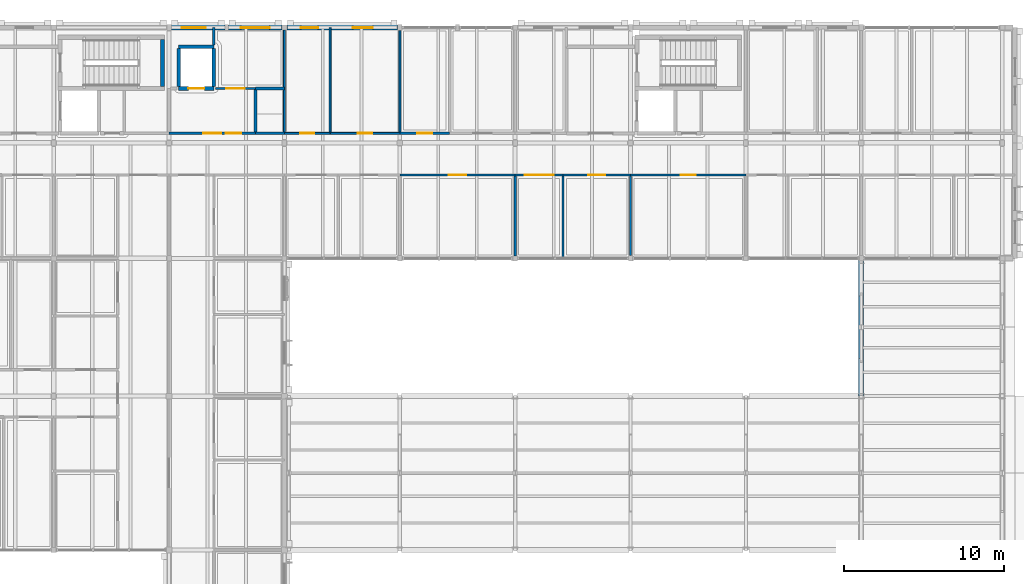
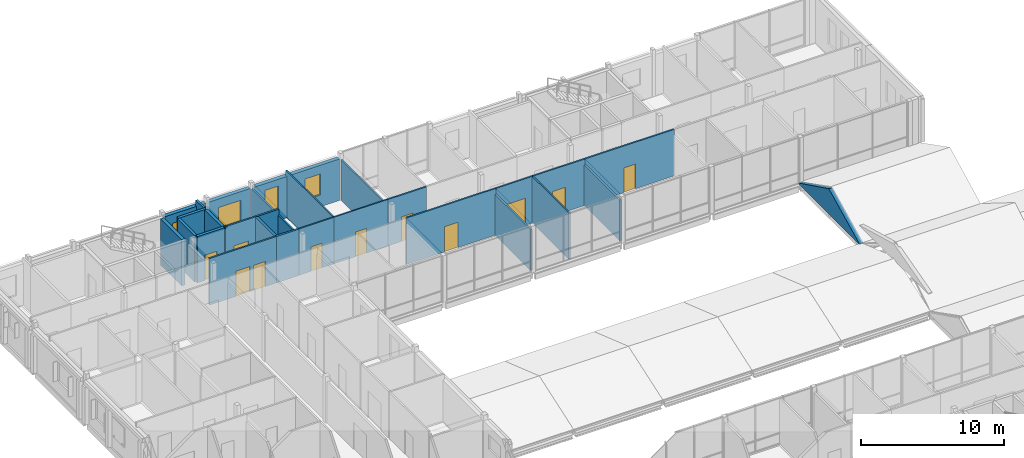
# One storey, part 87 of 115: 29 walls, 11 doors, 4 windows, 15 openings.
"""IFC4 building model written with IfcOpenShell, lengths in metres."""

import ifcopenshell
import ifcopenshell.guid

model = None  # the IFC model being written
_history = None  # IfcOwnerHistory: only IFC2X3 demands one
_inside = {}  # id of a spatial element -> (the spatial element, [elements in it])
_under = {}  # id of a project, library or spatial element -> (it, [spatial elements below it])
_declared = {}  # id of a project -> (the project, [libraries it declares])
_typed = {}  # id of a type object -> (the type object, [elements of that type])
_made_of = {}  # id of a material, layer set ... -> (it, [elements and type objects made of it])


def new_model(schema):
    """Start an empty IFC model of exactly this schema.

    Asked for "IFC4X3", IfcOpenShell would pick the latest addendum, in which some entities
    have other attributes; the version numbers below select the first issue.
    IFC2X3 requires an IfcOwnerHistory on every rooted entity: one is made here for all.
    """
    global model, _history
    if schema == "IFC4X3":
        model = ifcopenshell.file(schema_version=(4, 3, 0, 0))
    else:
        model = ifcopenshell.file(schema=schema)
    _inside.clear()
    _under.clear()
    _declared.clear()
    _typed.clear()
    _made_of.clear()
    _history = None
    if model.schema == "IFC2X3":
        org = make("IfcOrganization", Name="unknown")
        user = make(
            "IfcPersonAndOrganization",
            ThePerson=make("IfcPerson", FamilyName="unknown"),
            TheOrganization=org,
        )
        app = make(
            "IfcApplication",
            ApplicationDeveloper=org,
            Version="unknown",
            ApplicationFullName="unknown",
            ApplicationIdentifier="unknown",
        )
        _history = make(
            "IfcOwnerHistory",
            OwningUser=user,
            OwningApplication=app,
            ChangeAction="ADDED",
            CreationDate=0,
        )
    return model


def make(cls, **values):
    """One entity of the class cls with the attributes given. An attribute that is None is left unset."""
    return model.create_entity(
        cls, **{name: value for name, value in values.items() if value is not None}
    )


def rooted(cls, **values):
    """An entity with a GlobalId (a new one), such as an element, a storey or a relation."""
    return make(cls, GlobalId=ifcopenshell.guid.new(), OwnerHistory=_history, **values)


def si_unit(unit_type, name, prefix=None):
    """IfcSIUnit, for example si_unit("LENGTHUNIT", "METRE", prefix="MILLI")."""
    return make("IfcSIUnit", UnitType=unit_type, Prefix=prefix, Name=name)


def assignment(units):
    """IfcUnitAssignment: the units of a project."""
    return None if units is None else make("IfcUnitAssignment", Units=units)


def point(xyz):
    """IfcCartesianPoint."""
    return None if xyz is None else make("IfcCartesianPoint", Coordinates=xyz)


def direction(xyz):
    """IfcDirection."""
    return None if xyz is None else make("IfcDirection", DirectionRatios=xyz)


def frame(location, z_axis=None, x_axis=None):
    """IfcAxis2Placement3D, a coordinate frame: its origin and axes. An axis left out is left unset."""
    return make(
        "IfcAxis2Placement3D",
        Location=point(location),
        Axis=direction(z_axis),
        RefDirection=direction(x_axis),
    )


def frame_2d(location, x_axis=None):
    """IfcAxis2Placement2D, a coordinate frame in the plane: its origin and x axis."""
    return make(
        "IfcAxis2Placement2D", Location=point(location), RefDirection=direction(x_axis)
    )


def origin():
    """The frame at (0, 0, 0) with its axes left unset."""
    return frame((0.0, 0.0, 0.0))


def place(relative_to, where):
    """IfcLocalPlacement: puts the frame where relative to a parent placement (None: the world)."""
    return make(
        "IfcLocalPlacement", PlacementRelTo=relative_to, RelativePlacement=where
    )


def context(
    kind, dimensions, precision=None, world=None, true_north=None, identifier=None
):
    """IfcGeometricRepresentationContext, for example the 3D "Model" context."""
    return make(
        "IfcGeometricRepresentationContext",
        ContextIdentifier=identifier,
        ContextType=kind,
        CoordinateSpaceDimension=dimensions,
        Precision=precision,
        WorldCoordinateSystem=world,
        TrueNorth=true_north,
    )


def subcontext(parent, identifier, kind, view, scale=None):
    """IfcGeometricRepresentationSubContext, for example "Body" below "Model"."""
    return make(
        "IfcGeometricRepresentationSubContext",
        ContextIdentifier=identifier,
        ContextType=kind,
        ParentContext=parent,
        TargetScale=scale,
        TargetView=view,
    )


def project(units=None, contexts=None):
    """IfcProject with its units and contexts."""
    return rooted(
        "IfcProject",
        Name="project",
        RepresentationContexts=contexts,
        UnitsInContext=assignment(units),
    )


def spatial(cls, under=None, at=None, **own):
    """A site, building, storey or space (cls), placed at a placement, below another one or the project."""
    s = rooted(cls, ObjectPlacement=at, **own)
    if under is not None:
        _under.setdefault(under.id(), (under, []))[1].append(s)
    return s


def polyline(points):
    """IfcPolyline through the points."""
    return make("IfcPolyline", Points=[point(p) for p in points])


def profile(cls, at=None, kind="AREA", **sizes):
    """A parametric profile (cls). Its sizes go by their IFC names, for example OverallWidth=200.0."""
    return make(cls, ProfileType=kind, Position=at, **sizes)


def rectangle(**sizes):
    """IfcRectangleProfileDef."""
    return profile("IfcRectangleProfileDef", **sizes)


def outline(outer, holes=None, kind="AREA"):
    """IfcArbitraryClosedProfileDef: a profile drawn as a closed curve; with holes, ...WithVoids."""
    if holes is None:
        return make("IfcArbitraryClosedProfileDef", ProfileType=kind, OuterCurve=outer)
    return make(
        "IfcArbitraryProfileDefWithVoids",
        ProfileType=kind,
        OuterCurve=outer,
        InnerCurves=holes,
    )


def extrude(swept, where, along, depth):
    """IfcExtrudedAreaSolid: the profile swept, set in the frame where, extruded along a direction by depth."""
    return make(
        "IfcExtrudedAreaSolid",
        SweptArea=swept,
        Position=where,
        ExtrudedDirection=direction(along),
        Depth=depth,
    )


def shape(context_of_items, identifier, shape_type, items):
    """IfcShapeRepresentation: the items that make up one representation, for example the "Body"."""
    return make(
        "IfcShapeRepresentation",
        ContextOfItems=context_of_items,
        RepresentationIdentifier=identifier,
        RepresentationType=shape_type,
        Items=items,
    )


def material(Name=None, Category=None):
    """IfcMaterial."""
    return make("IfcMaterial", Name=Name, Category=Category)


def layer(
    of_material, thickness, ventilated=None, Name=None, Category=None, Priority=None
):
    """IfcMaterialLayer: one layer of a wall or slab, of a material (None: an air gap)."""
    return make(
        "IfcMaterialLayer",
        Material=of_material,
        LayerThickness=thickness,
        IsVentilated=ventilated,
        Name=Name,
        Category=Category,
        Priority=Priority,
    )


def layer_set(layers, Name=None):
    """IfcMaterialLayerSet."""
    return make("IfcMaterialLayerSet", MaterialLayers=layers, LayerSetName=Name)


def made_of(thing, what):
    """Note that an element or type object is made of a material, layer set ...; save() writes the relation."""
    if what is not None:
        _made_of.setdefault(what.id(), (what, []))[1].append(thing)
    return thing


def type_object(cls, material=None, **own):
    """A type object (cls), such as IfcWallType, which elements share."""
    return made_of(rooted(cls, **own), material)


def element(
    cls,
    number,
    at=None,
    inside=None,
    cuts=None,
    type_object=None,
    material=None,
    context=None,
    identifier="Body",
    shape_type=None,
    held_by="IfcProductDefinitionShape",
    body=None,
    shapes=None,
    **own,
):
    """One element of the class cls, such as IfcWall. Its Tag is "e" and its number.

    at: its placement. inside: the storey or other place that contains it. cuts: it is an
    opening in that element (IfcRelVoidsElement). A single representation is given by context,
    identifier, shape_type and body (its items); several are given by shapes. held_by: the class
    of the entity that holds the representations. save() writes the other relations.
    """
    e = rooted(cls, Tag="e%d" % number, ObjectPlacement=at, **own)
    if body is not None:
        shapes = [shape(context, identifier, shape_type, body)]
    if shapes is not None:
        e.Representation = make(held_by, Representations=shapes)
    if inside is not None:
        _inside.setdefault(inside.id(), (inside, []))[1].append(e)
    if cuts is not None:
        rooted(
            "IfcRelVoidsElement", RelatingBuildingElement=cuts, RelatedOpeningElement=e
        )
    if type_object is not None:
        _typed.setdefault(type_object.id(), (type_object, []))[1].append(e)
    return made_of(e, material)


def fill(opening, filler):
    """IfcRelFillsElement: the door or window that sits in an opening."""
    return rooted(
        "IfcRelFillsElement",
        RelatingOpeningElement=opening,
        RelatedBuildingElement=filler,
    )


def aggregate(whole, parts):
    """IfcRelAggregates: a whole, such as a stair, and the parts it consists of."""
    return rooted("IfcRelAggregates", RelatingObject=whole, RelatedObjects=parts)


def save(model, path):
    """Write the relations noted so far, then the file.

    IfcRelAggregates (storeys below a building ...), IfcRelContainedInSpatialStructure (elements
    in a storey), IfcRelDefinesByType, IfcRelAssociatesMaterial and IfcRelDeclares: one each for
    every whole, place, type object, material and project.
    """
    for whole, parts in _under.values():
        aggregate(whole, parts)
    for where, things in _inside.values():
        rooted(
            "IfcRelContainedInSpatialStructure",
            RelatedElements=things,
            RelatingStructure=where,
        )
    for kind, things in _typed.values():
        rooted("IfcRelDefinesByType", RelatedObjects=things, RelatingType=kind)
    for what, things in _made_of.values():
        rooted("IfcRelAssociatesMaterial", RelatedObjects=things, RelatingMaterial=what)
    for by, libraries in _declared.values():
        rooted("IfcRelDeclares", RelatingContext=by, RelatedDefinitions=libraries)
    model.write(path)


model = new_model("IFC4")

# Units and contexts
model_context = context("Model", 3, precision=1e-05, world=origin(), true_north=direction((0.0, 1.0)))
body_context = subcontext(model_context, "Body", "Model", "MODEL_VIEW")
ifc_project = project(units=[si_unit("LENGTHUNIT", "METRE"), si_unit("AREAUNIT", "SQUARE_METRE"), si_unit("VOLUMEUNIT", "CUBIC_METRE"), si_unit("PLANEANGLEUNIT", "RADIAN"), si_unit("MASSUNIT", "GRAM", prefix="KILO")], contexts=[model_context])

# Site, building, storey
site_placement = place(None, origin())
site = spatial("IfcSite", under=ifc_project, at=site_placement, CompositionType="ELEMENT")
building_placement = place(site_placement, origin())
building = spatial("IfcBuilding", under=site, at=building_placement, Name="Hawrajan Terrace Health Centre", CompositionType="ELEMENT")
storey_placement = place(building_placement, frame((0.0, 0.0, 9.0)))
storey = spatial("IfcBuildingStorey", under=building, at=storey_placement, Name="L02", CompositionType="ELEMENT", Elevation=9.0)

# Wall, opening, window
ifc_material_1 = material(Name="Precast concrete C40/50", Category="concrete")
ifc_layer_1 = layer(ifc_material_1, 0.31005859375)
ifc_layer_set_1 = layer_set([ifc_layer_1], Name="Precast concrete C40/50")
wall_type_1 = type_object("IfcWallType", Name="ArtDecoFacadeWall_310", PredefinedType="SOLIDWALL", material=ifc_layer_set_1)
wall_1_placement = place(storey_placement, frame((19.139892578125, 59.800048828125, 0.0), z_axis=(0.0, 0.0, 1.0), x_axis=(1.0, 0.0, 0.0)))
wall_1 = element("IfcWall", 1, at=wall_1_placement, inside=storey, type_object=wall_type_1, Name="Exterior wall EW-L02-H02-07-1", PredefinedType="SOLIDWALL", context=body_context, shape_type="SweptSolid", body=[
    extrude(rectangle(XDim=3.340087890625, YDim=0.31005859375, at=frame_2d((1.669921875, 0.0))), origin(), (0.0, 0.0, 1.0), 3.530029296875),
])
opening_1_placement = place(wall_1_placement, frame((0.639892578125, 0.0, 1.5)))
opening_1 = element("IfcOpeningElement", 2, at=opening_1_placement, cuts=wall_1, Name="Opening W-L02-133", PredefinedType="OPENING", context=body_context, shape_type="SweptSolid", body=[
    extrude(rectangle(XDim=1.5, YDim=1.25, at=frame_2d((0.75, 0.625))), frame((0.0, 0.1650390625, 0.0), z_axis=(0.0, -1.0, 0.0), x_axis=(1.0, 0.0, 0.0)), (0.0, 0.0, 1.0), 0.330078125),
])
ifc_material_2 = material(Name="Anodized bronze frame with double low-E glazing", Category="glass")
window_type_1 = type_object("IfcWindowType", Name="FacadeWindow_1500x1250", PartitioningType="DOUBLE_PANEL_VERTICAL", PredefinedType="WINDOW", material=ifc_material_2)
window_1_placement = place(opening_1_placement, origin())
window_1 = element("IfcWindow", 3, at=window_1_placement, inside=storey, type_object=window_type_1, Name="Window W-L02-133", OverallHeight=1.25, OverallWidth=1.5, PartitioningType="DOUBLE_PANEL_VERTICAL", PredefinedType="WINDOW", context=body_context, shape_type="SweptSolid", body=[
    extrude(rectangle(XDim=1.5, YDim=1.25, at=frame_2d((0.75, 0.625))), frame((0.0, 0.030029296875, 0.0), z_axis=(0.0, -1.0, 0.0), x_axis=(1.0, 0.0, 0.0)), (0.0, 0.0, 1.0), 0.06005859375),
])
fill(opening_1, window_1)

wall_2_placement = place(storey_placement, frame((22.719970703125, 59.800048828125, 0.0), z_axis=(0.0, 0.0, 1.0), x_axis=(1.0, 0.0, 0.0)))
wall_2 = element("IfcWall", 4, at=wall_2_placement, inside=storey, type_object=wall_type_1, Name="Exterior wall EW-L02-H02-07-2", PredefinedType="SOLIDWALL", context=body_context, shape_type="SweptSolid", body=[
    extrude(rectangle(XDim=3.320068359375, YDim=0.31005859375, at=frame_2d((1.66015625, 0.0))), origin(), (0.0, 0.0, 1.0), 3.530029296875),
])
opening_2_placement = place(wall_2_placement, frame((0.760009765625, 0.0, 1.0)))
opening_2 = element("IfcOpeningElement", 5, at=opening_2_placement, cuts=wall_2, Name="Opening W-L02-134", PredefinedType="OPENING", context=body_context, shape_type="SweptSolid", body=[
    extrude(rectangle(XDim=1.800048828125, YDim=1.800048828125, at=frame_2d((0.89990234375, 0.89990234375))), frame((0.0, 0.1650390625, 0.0), z_axis=(0.0, -1.0, 0.0), x_axis=(1.0, 0.0, 0.0)), (0.0, 0.0, 1.0), 0.330078125),
])
window_type_2 = type_object("IfcWindowType", Name="FacadeWindow_1800x1800", PartitioningType="DOUBLE_PANEL_VERTICAL", PredefinedType="WINDOW", material=ifc_material_2)
window_2_placement = place(opening_2_placement, origin())
window_2 = element("IfcWindow", 6, at=window_2_placement, inside=storey, type_object=window_type_2, Name="Window W-L02-134", OverallHeight=1.800048828125, OverallWidth=1.800048828125, PartitioningType="DOUBLE_PANEL_VERTICAL", PredefinedType="WINDOW", context=body_context, shape_type="SweptSolid", body=[
    extrude(rectangle(XDim=1.800048828125, YDim=1.800048828125, at=frame_2d((0.89990234375, 0.89990234375))), frame((0.0, 0.030029296875, 0.0), z_axis=(0.0, -1.0, 0.0), x_axis=(1.0, 0.0, 0.0)), (0.0, 0.0, 1.0), 0.06005859375),
])
fill(opening_2, window_2)

# Wall, openings, windows
wall_3_placement = place(storey_placement, frame((26.360107421875, 59.800048828125, 0.0), z_axis=(0.0, 0.0, 1.0), x_axis=(1.0, 0.0, 0.0)))
wall_3 = element("IfcWall", 7, at=wall_3_placement, inside=storey, type_object=wall_type_1, Name="Exterior wall EW-L02-H03-07-1", PredefinedType="SOLIDWALL", context=body_context, shape_type="SweptSolid", body=[
    extrude(rectangle(XDim=6.89990234375, YDim=0.31005859375, at=frame_2d((3.449951171875, 0.0))), origin(), (0.0, 0.0, 1.0), 3.530029296875),
])
opening_3_placement = place(wall_3_placement, frame((0.864990234375, 0.0, 1.0)))
opening_3 = element("IfcOpeningElement", 8, at=opening_3_placement, cuts=wall_3, Name="Opening W-L02-137", PredefinedType="OPENING", context=body_context, shape_type="SweptSolid", body=[
    extrude(rectangle(XDim=1.080078125, YDim=1.949951171875, at=frame_2d((0.5400390625, 0.97509765625))), frame((0.0, 0.1650390625, 0.0), z_axis=(0.0, -1.0, 0.0), x_axis=(1.0, 0.0, 0.0)), (0.0, 0.0, 1.0), 0.330078125),
])
opening_4_placement = place(wall_3_placement, frame((4.114990234375, 0.0, 1.0)))
opening_4 = element("IfcOpeningElement", 9, at=opening_4_placement, cuts=wall_3, Name="Opening W-L02-138", PredefinedType="OPENING", context=body_context, shape_type="SweptSolid", body=[
    extrude(rectangle(XDim=1.239990234375, YDim=1.800048828125, at=frame_2d((0.6201171875, 0.89990234375))), frame((0.0, 0.1650390625, 0.0), z_axis=(0.0, -1.0, 0.0), x_axis=(1.0, 0.0, 0.0)), (0.0, 0.0, 1.0), 0.330078125),
])
window_type_3 = type_object("IfcWindowType", Name="FacadeWindow_1080x1950", PartitioningType="SINGLE_PANEL", PredefinedType="WINDOW", material=ifc_material_2)
window_3_placement = place(opening_3_placement, origin())
window_3 = element("IfcWindow", 10, at=window_3_placement, inside=storey, type_object=window_type_3, Name="Window W-L02-137", OverallHeight=1.949951171875, OverallWidth=1.080078125, PartitioningType="SINGLE_PANEL", PredefinedType="WINDOW", context=body_context, shape_type="SweptSolid", body=[
    extrude(rectangle(XDim=1.080078125, YDim=1.949951171875, at=frame_2d((0.5400390625, 0.97509765625))), frame((0.0, 0.030029296875, 0.0), z_axis=(0.0, -1.0, 0.0), x_axis=(1.0, 0.0, 0.0)), (0.0, 0.0, 1.0), 0.06005859375),
])
fill(opening_3, window_3)
window_type_4 = type_object("IfcWindowType", Name="FacadeWindow_1240x1800", PartitioningType="SINGLE_PANEL", PredefinedType="WINDOW", material=ifc_material_2)
window_4_placement = place(opening_4_placement, origin())
window_4 = element("IfcWindow", 11, at=window_4_placement, inside=storey, type_object=window_type_4, Name="Window W-L02-138", OverallHeight=1.800048828125, OverallWidth=1.239990234375, PartitioningType="SINGLE_PANEL", PredefinedType="WINDOW", context=body_context, shape_type="SweptSolid", body=[
    extrude(rectangle(XDim=1.239990234375, YDim=1.800048828125, at=frame_2d((0.6201171875, 0.89990234375))), frame((0.0, 0.030029296875, 0.0), z_axis=(0.0, -1.0, 0.0), x_axis=(1.0, 0.0, 0.0)), (0.0, 0.0, 1.0), 0.06005859375),
])
fill(opening_4, window_4)

# Wall
wall_4_placement = place(storey_placement, frame((62.179931640625, 36.800048828125, 0.0), z_axis=(0.0, 0.0, 1.0), x_axis=(0.0, 1.0, 0.0)))
element("IfcWall", 12, at=wall_4_placement, inside=storey, type_object=wall_type_1, Name="Glulam roof gable tympanum TYM-V1-W09-N", PredefinedType="SOLIDWALL", context=body_context, shape_type="SweptSolid", body=[
    extrude(outline(polyline([(0.0, 0.0), (8.599853515625, 0.0), (8.60009765625, 0.050048828125), (4.300048828125, 2.159912109375), (0.0, 0.050048828125), (0.0, 0.0)])), frame((0.0, 0.155029296875, 0.0), z_axis=(0.0, -1.0, 0.0), x_axis=(1.0, 0.0, 0.0)), (0.0, 0.0, 1.0), 0.31005859375),
])

# Wall, openings, doors
ifc_material_3 = material(Name="Gypsum board on acoustic stud framing")
ifc_layer_2 = layer(ifc_material_3, 0.139892578125)
ifc_layer_set_2 = layer_set([ifc_layer_2], Name="Gypsum board on acoustic stud framing")
wall_type_2 = type_object("IfcWallType", Name="ClinicalAcousticWall_140", PredefinedType="PARTITIONING", material=ifc_layer_set_2)
wall_5_placement = place(storey_placement, frame((19.0, 53.199951171875, 0.0), z_axis=(0.0, 0.0, 1.0), x_axis=(1.0, 0.0, 0.0)))
wall_5 = element("IfcWall", 13, at=wall_5_placement, inside=storey, type_object=wall_type_2, Name="Interior wall IW-L02-1029", PredefinedType="PARTITIONING", context=body_context, shape_type="SweptSolid", body=[
    extrude(rectangle(XDim=5.39990234375, YDim=0.139892578125, at=frame_2d((2.699951171875, 0.0))), origin(), (0.0, 0.0, 1.0), 3.9599609375),
])
opening_5_placement = place(wall_5_placement, frame((2.139892578125, 0.0, 0.0)))
opening_5 = element("IfcOpeningElement", 14, at=opening_5_placement, cuts=wall_5, Name="Opening D-L02-442", PredefinedType="OPENING", context=body_context, shape_type="SweptSolid", body=[
    extrude(rectangle(XDim=1.1201171875, YDim=2.14990234375, at=frame_2d((0.56005859375, 1.074951171875))), frame((0.0, 0.079833984375, 0.0), z_axis=(0.0, -1.0, 0.0), x_axis=(1.0, 0.0, 0.0)), (0.0, 0.0, 1.0), 0.159912109375),
])
opening_6_placement = place(wall_5_placement, frame((3.530029296875, 0.0, 0.0)))
opening_6 = element("IfcOpeningElement", 15, at=opening_6_placement, cuts=wall_5, Name="Opening D-L02-444", PredefinedType="OPENING", context=body_context, shape_type="SweptSolid", body=[
    extrude(rectangle(XDim=0.97998046875, YDim=2.14990234375, at=frame_2d((0.489990234375, 1.074951171875))), frame((0.0, 0.079833984375, 0.0), z_axis=(0.0, -1.0, 0.0), x_axis=(1.0, 0.0, 0.0)), (0.0, 0.0, 1.0), 0.159912109375),
])
ifc_material_4 = material(Name="Hardwood acoustic clinical door leaf and frame", Category="wood")
door_type_1 = type_object("IfcDoorType", Name="ConsultDoor_980x2150", OperationType="NOTDEFINED", PredefinedType="DOOR", material=ifc_material_4)
door_1_placement = place(opening_6_placement, origin())
door_1 = element("IfcDoor", 16, at=door_1_placement, inside=storey, type_object=door_type_1, Name="Interior door D-L02-444", OperationType="SINGLE_SWING_RIGHT", OverallHeight=2.14990234375, OverallWidth=0.97998046875, PredefinedType="DOOR", context=body_context, shape_type="SweptSolid", body=[
    extrude(rectangle(XDim=0.97998046875, YDim=2.14990234375, at=frame_2d((0.489990234375, 1.074951171875))), frame((0.0, 0.02490234375, 0.0), z_axis=(0.0, -1.0, 0.0), x_axis=(1.0, 0.0, 0.0)), (0.0, 0.0, 1.0), 0.050048828125),
])
fill(opening_6, door_1)
door_type_2 = type_object("IfcDoorType", Name="DentalSurgeryDoor_1120x2150", OperationType="NOTDEFINED", PredefinedType="DOOR", material=ifc_material_4)
door_2_placement = place(opening_5_placement, origin())
door_2 = element("IfcDoor", 17, at=door_2_placement, inside=storey, type_object=door_type_2, Name="Interior door D-L02-442", OperationType="SINGLE_SWING_RIGHT", OverallHeight=2.14990234375, OverallWidth=1.1201171875, PredefinedType="DOOR", context=body_context, shape_type="SweptSolid", body=[
    extrude(rectangle(XDim=1.1201171875, YDim=2.14990234375, at=frame_2d((0.56005859375, 1.074951171875))), frame((0.0, 0.02490234375, 0.0), z_axis=(0.0, -1.0, 0.0), x_axis=(1.0, 0.0, 0.0)), (0.0, 0.0, 1.0), 0.050048828125),
])
fill(opening_5, door_2)

# Wall, opening, door
wall_6_placement = place(storey_placement, frame((21.909912109375, 56.0, 0.0), z_axis=(0.0, 0.0, 1.0), x_axis=(1.0, 0.0, 0.0)))
wall_6 = element("IfcWall", 18, at=wall_6_placement, inside=storey, type_object=wall_type_2, Name="Interior wall IW-L02-1047", PredefinedType="PARTITIONING", context=body_context, shape_type="SweptSolid", body=[
    extrude(rectangle(XDim=2.489990234375, YDim=0.139892578125, at=frame_2d((1.2451171875, 0.0))), origin(), (0.0, 0.0, 1.0), 3.9599609375),
])
opening_7_placement = place(wall_6_placement, frame((0.6650390625, 0.0, 0.0)))
opening_7 = element("IfcOpeningElement", 19, at=opening_7_placement, cuts=wall_6, Name="Opening D-L02-487", PredefinedType="OPENING", context=body_context, shape_type="SweptSolid", body=[
    extrude(rectangle(XDim=1.159912109375, YDim=2.10009765625, at=frame_2d((0.580078125, 1.050048828125))), frame((0.0, 0.079833984375, 0.0), z_axis=(0.0, -1.0, 0.0), x_axis=(1.0, 0.0, 0.0)), (0.0, 0.0, 1.0), 0.159912109375),
])
door_type_3 = type_object("IfcDoorType", Name="ConsultDoor_1160x2100", OperationType="NOTDEFINED", PredefinedType="DOOR", material=ifc_material_4)
door_3_placement = place(opening_7_placement, origin())
door_3 = element("IfcDoor", 20, at=door_3_placement, inside=storey, type_object=door_type_3, Name="Interior door D-L02-487", OperationType="SINGLE_SWING_LEFT", OverallHeight=2.10009765625, OverallWidth=1.159912109375, PredefinedType="DOOR", context=body_context, shape_type="SweptSolid", body=[
    extrude(rectangle(XDim=1.159912109375, YDim=2.10009765625, at=frame_2d((0.580078125, 1.050048828125))), frame((0.0, 0.02490234375, 0.0), z_axis=(0.0, -1.0, 0.0), x_axis=(1.0, 0.0, 0.0)), (0.0, 0.0, 1.0), 0.050048828125),
])
fill(opening_7, door_3)

wall_7_placement = place(storey_placement, frame((33.39990234375, 50.60009765625, 0.0), z_axis=(0.0, 0.0, 1.0), x_axis=(1.0, 0.0, 0.0)))
wall_7 = element("IfcWall", 21, at=wall_7_placement, inside=storey, type_object=wall_type_2, Name="Interior wall IW-L02-1069", PredefinedType="PARTITIONING", context=body_context, shape_type="SweptSolid", body=[
    extrude(rectangle(XDim=7.2001953125, YDim=0.139892578125, at=frame_2d((3.60009765625, 0.0))), origin(), (0.0, 0.0, 1.0), 3.9599609375),
])
opening_8_placement = place(wall_7_placement, frame((3.0400390625, 0.0, 0.0)))
opening_8 = element("IfcOpeningElement", 22, at=opening_8_placement, cuts=wall_7, Name="Opening D-L02-490", PredefinedType="OPENING", context=body_context, shape_type="SweptSolid", body=[
    extrude(rectangle(XDim=1.1201171875, YDim=2.14990234375, at=frame_2d((0.56005859375, 1.074951171875))), frame((0.0, 0.079833984375, 0.0), z_axis=(0.0, -1.0, 0.0), x_axis=(1.0, 0.0, 0.0)), (0.0, 0.0, 1.0), 0.159912109375),
])
door_4_placement = place(opening_8_placement, origin())
door_4 = element("IfcDoor", 23, at=door_4_placement, inside=storey, type_object=door_type_2, Name="Interior door D-L02-490", OperationType="SINGLE_SWING_RIGHT", OverallHeight=2.14990234375, OverallWidth=1.1201171875, PredefinedType="DOOR", context=body_context, shape_type="SweptSolid", body=[
    extrude(rectangle(XDim=1.1201171875, YDim=2.14990234375, at=frame_2d((0.56005859375, 1.074951171875))), frame((0.0, 0.02490234375, 0.0), z_axis=(0.0, -1.0, 0.0), x_axis=(1.0, 0.0, 0.0)), (0.0, 0.0, 1.0), 0.050048828125),
])
fill(opening_8, door_4)

wall_8_placement = place(storey_placement, frame((33.39990234375, 53.199951171875, 0.0), z_axis=(0.0, 0.0, 1.0), x_axis=(1.0, 0.0, 0.0)))
wall_8 = element("IfcWall", 24, at=wall_8_placement, inside=storey, type_object=wall_type_2, Name="Interior wall IW-L02-1071", PredefinedType="PARTITIONING", context=body_context, shape_type="SweptSolid", body=[
    extrude(rectangle(XDim=3.110107421875, YDim=0.139892578125, at=frame_2d((1.55517578125, 0.0))), origin(), (0.0, 0.0, 1.0), 3.9599609375),
])
opening_9_placement = place(wall_8_placement, frame((1.094970703125, 0.0, 0.0)))
opening_9 = element("IfcOpeningElement", 25, at=opening_9_placement, cuts=wall_8, Name="Opening D-L02-491", PredefinedType="OPENING", context=body_context, shape_type="SweptSolid", body=[
    extrude(rectangle(XDim=0.919921875, YDim=2.10009765625, at=frame_2d((0.4599609375, 1.050048828125))), frame((0.0, 0.079833984375, 0.0), z_axis=(0.0, -1.0, 0.0), x_axis=(1.0, 0.0, 0.0)), (0.0, 0.0, 1.0), 0.159912109375),
])
door_type_4 = type_object("IfcDoorType", Name="StaffOfficeDoor_920x2100", OperationType="NOTDEFINED", PredefinedType="DOOR", material=ifc_material_4)
door_5_placement = place(opening_9_placement, origin())
door_5 = element("IfcDoor", 26, at=door_5_placement, inside=storey, type_object=door_type_4, Name="Interior door D-L02-491", OperationType="SINGLE_SWING_LEFT", OverallHeight=2.10009765625, OverallWidth=0.919921875, PredefinedType="DOOR", context=body_context, shape_type="SweptSolid", body=[
    extrude(rectangle(XDim=0.919921875, YDim=2.10009765625, at=frame_2d((0.4599609375, 1.050048828125))), frame((0.0, 0.02490234375, 0.0), z_axis=(0.0, -1.0, 0.0), x_axis=(1.0, 0.0, 0.0)), (0.0, 0.0, 1.0), 0.050048828125),
])
fill(opening_9, door_5)

# Wall
wall_9_placement = place(storey_placement, frame((40.60009765625, 45.56005859375, 0.0), z_axis=(0.0, 0.0, 1.0), x_axis=(0.0, 1.0, 0.0)))
element("IfcWall", 27, at=wall_9_placement, inside=storey, type_object=wall_type_2, Name="Interior wall IW-L02-1078", PredefinedType="PARTITIONING", context=body_context, shape_type="SweptSolid", body=[
    extrude(rectangle(XDim=4.969970703125, YDim=0.139892578125, at=frame_2d((2.48486328125, 0.0))), origin(), (0.0, 0.0, 1.0), 3.469970703125),
])

# Wall, opening, door
wall_10_placement = place(storey_placement, frame((40.60009765625, 50.60009765625, 0.0), z_axis=(0.0, 0.0, 1.0), x_axis=(1.0, 0.0, 0.0)))
wall_10 = element("IfcWall", 28, at=wall_10_placement, inside=storey, type_object=wall_type_2, Name="Interior wall IW-L02-1079", PredefinedType="PARTITIONING", context=body_context, shape_type="SweptSolid", body=[
    extrude(rectangle(XDim=2.98779296875, YDim=0.139892578125, at=frame_2d((1.493896484375, 0.0))), origin(), (0.0, 0.0, 1.0), 3.9599609375),
])
opening_10_placement = place(wall_10_placement, frame((0.593994140625, 0.0, 0.0)))
opening_10 = element("IfcOpeningElement", 29, at=opening_10_placement, cuts=wall_10, Name="Opening D-L02-493", PredefinedType="OPENING", context=body_context, shape_type="SweptSolid", body=[
    extrude(rectangle(XDim=1.800048828125, YDim=2.300048828125, at=frame_2d((0.89990234375, 1.14990234375))), frame((0.0, 0.079833984375, 0.0), z_axis=(0.0, -1.0, 0.0), x_axis=(1.0, 0.0, 0.0)), (0.0, 0.0, 1.0), 0.159912109375),
])
door_type_5 = type_object("IfcDoorType", Name="EducationHallDoor_1800x2300", OperationType="DOUBLE_DOOR_SINGLE_SWING", PredefinedType="DOOR", material=ifc_material_4)
door_6_placement = place(opening_10_placement, origin())
door_6 = element("IfcDoor", 30, at=door_6_placement, inside=storey, type_object=door_type_5, Name="Interior door D-L02-493", OperationType="DOUBLE_DOOR_SINGLE_SWING", OverallHeight=2.300048828125, OverallWidth=1.800048828125, PredefinedType="DOOR", context=body_context, shape_type="SweptSolid", body=[
    extrude(rectangle(XDim=1.800048828125, YDim=2.300048828125, at=frame_2d((0.89990234375, 1.14990234375))), frame((0.0, 0.02490234375, 0.0), z_axis=(0.0, -1.0, 0.0), x_axis=(1.0, 0.0, 0.0)), (0.0, 0.0, 1.0), 0.050048828125),
])
fill(opening_10, door_6)

# Wall
wall_11_placement = place(storey_placement, frame((43.587890625, 45.39990234375, 0.0), z_axis=(0.0, 0.0, 1.0), x_axis=(0.0, 1.0, 0.0)))
element("IfcWall", 31, at=wall_11_placement, inside=storey, type_object=wall_type_2, Name="Interior wall IW-L02-1082", PredefinedType="PARTITIONING", context=body_context, shape_type="SweptSolid", body=[
    extrude(rectangle(XDim=5.130126953125, YDim=0.139892578125, at=frame_2d((2.56494140625, 0.0))), origin(), (0.0, 0.0, 1.0), 3.9599609375),
])

# Wall, opening, door
wall_12_placement = place(storey_placement, frame((43.587890625, 50.60009765625, 0.0), z_axis=(0.0, 0.0, 1.0), x_axis=(1.0, 0.0, 0.0)))
wall_12 = element("IfcWall", 32, at=wall_12_placement, inside=storey, type_object=wall_type_2, Name="Interior wall IW-L02-1083", PredefinedType="PARTITIONING", context=body_context, shape_type="SweptSolid", body=[
    extrude(rectangle(XDim=4.212158203125, YDim=0.139892578125, at=frame_2d((2.10595703125, 0.0))), origin(), (0.0, 0.0, 1.0), 3.9599609375),
])
opening_11_placement = place(wall_12_placement, frame((1.5859375, 0.0, 0.0)))
opening_11 = element("IfcOpeningElement", 33, at=opening_11_placement, cuts=wall_12, Name="Opening D-L02-494", PredefinedType="OPENING", context=body_context, shape_type="SweptSolid", body=[
    extrude(rectangle(XDim=1.0400390625, YDim=2.10009765625, at=frame_2d((0.52001953125, 1.050048828125))), frame((0.0, 0.079833984375, 0.0), z_axis=(0.0, -1.0, 0.0), x_axis=(1.0, 0.0, 0.0)), (0.0, 0.0, 1.0), 0.159912109375),
])
door_type_6 = type_object("IfcDoorType", Name="ConsultDoor_1040x2100", OperationType="NOTDEFINED", PredefinedType="DOOR", material=ifc_material_4)
door_7_placement = place(opening_11_placement, origin())
door_7 = element("IfcDoor", 34, at=door_7_placement, inside=storey, type_object=door_type_6, Name="Interior door D-L02-494", OperationType="SINGLE_SWING_RIGHT", OverallHeight=2.10009765625, OverallWidth=1.0400390625, PredefinedType="DOOR", context=body_context, shape_type="SweptSolid", body=[
    extrude(rectangle(XDim=1.0400390625, YDim=2.10009765625, at=frame_2d((0.52001953125, 1.050048828125))), frame((0.0, 0.02490234375, 0.0), z_axis=(0.0, -1.0, 0.0), x_axis=(1.0, 0.0, 0.0)), (0.0, 0.0, 1.0), 0.050048828125),
])
fill(opening_11, door_7)

# Wall
wall_13_placement = place(storey_placement, frame((47.800048828125, 45.580078125, 0.0), z_axis=(0.0, 0.0, 1.0), x_axis=(0.0, 1.0, 0.0)))
element("IfcWall", 35, at=wall_13_placement, inside=storey, type_object=wall_type_2, Name="Interior wall IW-L02-1091", PredefinedType="PARTITIONING", context=body_context, shape_type="SweptSolid", body=[
    extrude(rectangle(XDim=4.949951171875, YDim=0.139892578125, at=frame_2d((2.47509765625, 0.0))), origin(), (0.0, 0.0, 1.0), 3.469970703125),
])

# Wall, opening, door
wall_14_placement = place(storey_placement, frame((47.800048828125, 50.60009765625, 0.0), z_axis=(0.0, 0.0, 1.0), x_axis=(1.0, 0.0, 0.0)))
wall_14 = element("IfcWall", 36, at=wall_14_placement, inside=storey, type_object=wall_type_2, Name="Interior wall IW-L02-1092", PredefinedType="PARTITIONING", context=body_context, shape_type="SweptSolid", body=[
    extrude(rectangle(XDim=7.199951171875, YDim=0.139892578125, at=frame_2d((3.60009765625, 0.0))), origin(), (0.0, 0.0, 1.0), 3.9599609375),
])
opening_12_placement = place(wall_14_placement, frame((3.139892578125, 0.0, 0.0)))
opening_12 = element("IfcOpeningElement", 37, at=opening_12_placement, cuts=wall_14, Name="Opening D-L02-496", PredefinedType="OPENING", context=body_context, shape_type="SweptSolid", body=[
    extrude(rectangle(XDim=0.919921875, YDim=2.10009765625, at=frame_2d((0.4599609375, 1.050048828125))), frame((0.0, 0.079833984375, 0.0), z_axis=(0.0, -1.0, 0.0), x_axis=(1.0, 0.0, 0.0)), (0.0, 0.0, 1.0), 0.159912109375),
])
door_8_placement = place(opening_12_placement, origin())
door_8 = element("IfcDoor", 38, at=door_8_placement, inside=storey, type_object=door_type_4, Name="Interior door D-L02-496", OperationType="SINGLE_SWING_RIGHT", OverallHeight=2.10009765625, OverallWidth=0.919921875, PredefinedType="DOOR", context=body_context, shape_type="SweptSolid", body=[
    extrude(rectangle(XDim=0.919921875, YDim=2.10009765625, at=frame_2d((0.4599609375, 1.050048828125))), frame((0.0, 0.02490234375, 0.0), z_axis=(0.0, -1.0, 0.0), x_axis=(1.0, 0.0, 0.0)), (0.0, 0.0, 1.0), 0.050048828125),
])
fill(opening_12, door_8)

# Walls
ifc_material_5 = material(Name="Concrete C40/50", Category="concrete")
ifc_layer_3 = layer(ifc_material_5, 0.260009765625)
ifc_layer_set_3 = layer_set([ifc_layer_3], Name="Concrete C40/50")
wall_type_3 = type_object("IfcWallType", Name="CoreShearWall_RC260", PredefinedType="SHEAR", material=ifc_layer_set_3)
wall_15_placement = place(storey_placement, frame((18.60009765625, 56.1298828125, 0.0), z_axis=(0.0, 0.0, 1.0), x_axis=(0.0, 1.0, 0.0)))
element("IfcWall", 39, at=wall_15_placement, inside=storey, type_object=wall_type_3, Name="Core shear wall SW-C1-L02-E", PredefinedType="SHEAR", context=body_context, shape_type="SweptSolid", body=[
    extrude(rectangle(XDim=2.940185546875, YDim=0.260009765625, at=frame_2d((1.47021484375, 0.0))), origin(), (0.0, 0.0, 1.0), 3.949951171875),
])
ifc_layer_4 = layer(ifc_material_3, 0.159912109375)
ifc_layer_set_4 = layer_set([ifc_layer_4], Name="Gypsum board on acoustic stud framing")
wall_type_4 = type_object("IfcWallType", Name="CorridorFireWall_160", PredefinedType="PARTITIONING", material=ifc_layer_set_4)
for number, where, z_axis, x_axis, name in (
    (40, (26.199951171875, 53.199951171875, 0.0), (0.0, 0.0, 1.0), (-1.0, 0.0, 0.0), "Interior wall IW-L02-1224"),
    (41, (24.39990234375, 56.0, 0.0), (0.0, 0.0, 1.0), (1.0, 0.0, 0.0), "Interior wall IW-L02-1254"),
):
    element("IfcWall", number, at=place(storey_placement, frame(where, z_axis=z_axis, x_axis=x_axis)), inside=storey, type_object=wall_type_4, Name=name, PredefinedType="PARTITIONING", context=body_context, shape_type="SweptSolid", body=[
        extrude(rectangle(XDim=1.800048828125, YDim=0.159912109375, at=frame_2d((0.89990234375, 0.0))), origin(), (0.0, 0.0, 1.0), 3.9599609375),
    ])
wall_16_placement = place(storey_placement, frame((21.800048828125, 58.7099609375, 0.0), z_axis=(0.0, 0.0, 1.0), x_axis=(0.0, 1.0, 0.0)))
element("IfcWall", 42, at=wall_16_placement, inside=storey, type_object=wall_type_4, Name="Interior wall IW-L02-1255", PredefinedType="PARTITIONING", context=body_context, shape_type="SweptSolid", body=[
    extrude(rectangle(XDim=1.090087890625, YDim=0.159912109375, at=frame_2d((0.544921875, 0.0))), origin(), (0.0, 0.0, 1.0), 3.9599609375),
])
ifc_material_6 = material(Name="Cross-laminated timber CLT C24", Category="wood")
ifc_layer_5 = layer(ifc_material_6, 0.199951171875)
ifc_layer_set_5 = layer_set([ifc_layer_5], Name="Cross-laminated timber CLT C24")
wall_type_5 = type_object("IfcWallType", Name="FireCompartmentWall_200", PredefinedType="PARTITIONING", material=ifc_layer_set_5)
wall_17_placement = place(storey_placement, frame((24.39990234375, 53.27001953125, 0.0), z_axis=(0.0, 0.0, 1.0), x_axis=(0.0, 1.0, 0.0)))
element("IfcWall", 43, at=wall_17_placement, inside=storey, type_object=wall_type_5, Name="Interior wall IW-L02-1217", PredefinedType="PARTITIONING", context=body_context, shape_type="SweptSolid", body=[
    extrude(rectangle(XDim=2.659912109375, YDim=0.199951171875, at=frame_2d((1.330078125, 0.0))), origin(), (0.0, 0.0, 1.0), 3.9599609375),
])

# Wall, opening, door
ifc_layer_6 = layer(ifc_material_5, 0.219970703125)
ifc_layer_set_6 = layer_set([ifc_layer_6], Name="Concrete C40/50")
wall_type_6 = type_object("IfcWallType", Name="ShaftWall_RC220", PredefinedType="SOLIDWALL", material=ifc_layer_set_6)
wall_18_placement = place(storey_placement, frame((19.60009765625, 56.0, 0.0), z_axis=(0.0, 0.0, 1.0), x_axis=(1.0, 0.0, 0.0)))
wall_18 = element("IfcWall", 44, at=wall_18_placement, inside=storey, type_object=wall_type_6, Name="Lift shaft wall LW-LC-02-L02-S", PredefinedType="SOLIDWALL", context=body_context, shape_type="SweptSolid", body=[
    extrude(rectangle(XDim=2.199951171875, YDim=0.219970703125, at=frame_2d((1.10009765625, 0.0))), origin(), (0.0, 0.0, 1.0), 3.949951171875),
])
opening_13_placement = place(wall_18_placement, frame((0.60009765625, 0.0, 0.0)))
opening_13 = element("IfcOpeningElement", 45, at=opening_13_placement, cuts=wall_18, Name="Opening LD-L02-LC-02", PredefinedType="OPENING", context=body_context, shape_type="SweptSolid", body=[
    extrude(rectangle(XDim=1.0, YDim=2.14990234375, at=frame_2d((0.5, 1.074951171875))), frame((0.0, 0.119873046875, 0.0), z_axis=(0.0, -1.0, 0.0), x_axis=(1.0, 0.0, 0.0)), (0.0, 0.0, 1.0), 0.239990234375),
])
ifc_material_7 = material(Name="Brushed bronze stainless-steel sliding lift landing door", Category="steel")
door_type_7 = type_object("IfcDoorType", Name="LiftLandingDoor_1000x2150", OperationType="SLIDING_TO_LEFT", PredefinedType="DOOR", material=ifc_material_7)
door_9_placement = place(opening_13_placement, origin())
door_9 = element("IfcDoor", 46, at=door_9_placement, inside=storey, type_object=door_type_7, Name="Lift landing door LD-L02-LC-02", OperationType="SLIDING_TO_LEFT", OverallHeight=2.14990234375, OverallWidth=1.0, PredefinedType="DOOR", context=body_context, shape_type="SweptSolid", body=[
    extrude(rectangle(XDim=1.0, YDim=2.14990234375, at=frame_2d((0.5, 1.074951171875))), frame((0.0, 0.02490234375, 0.0), z_axis=(0.0, -1.0, 0.0), x_axis=(1.0, 0.0, 0.0)), (0.0, 0.0, 1.0), 0.050048828125),
])
fill(opening_13, door_9)

# Walls
wall_19_placement = place(storey_placement, frame((19.60009765625, 58.60009765625, 0.0), z_axis=(0.0, 0.0, 1.0), x_axis=(1.0, 0.0, 0.0)))
element("IfcWall", 47, at=wall_19_placement, inside=storey, type_object=wall_type_6, Name="Lift shaft wall LW-LC-02-L02-N", PredefinedType="SOLIDWALL", context=body_context, shape_type="SweptSolid", body=[
    extrude(rectangle(XDim=2.199951171875, YDim=0.219970703125, at=frame_2d((1.10009765625, 0.0))), origin(), (0.0, 0.0, 1.0), 3.949951171875),
])
for number, where, z_axis, x_axis, name in (
    (48, (19.60009765625, 56.110107421875, 0.0), (0.0, 0.0, 1.0), (0.0, 1.0, 0.0), "Lift shaft wall LW-LC-02-L02-W"),
    (49, (21.800048828125, 56.110107421875, 0.0), (0.0, 0.0, 1.0), (0.0, 1.0, 0.0), "Lift shaft wall LW-LC-02-L02-E"),
):
    element("IfcWall", number, at=place(storey_placement, frame(where, z_axis=z_axis, x_axis=x_axis)), inside=storey, type_object=wall_type_6, Name=name, PredefinedType="SOLIDWALL", context=body_context, shape_type="SweptSolid", body=[
        extrude(rectangle(XDim=2.3798828125, YDim=0.219970703125, at=frame_2d((1.18994140625, 0.0))), origin(), (0.0, 0.0, 1.0), 3.949951171875),
    ])

# Wall, opening, door
ifc_material_8 = material(Name="Moisture-resistant board on stud framing")
ifc_layer_7 = layer(ifc_material_8, 0.1201171875)
ifc_layer_set_7 = layer_set([ifc_layer_7], Name="Moisture-resistant board on stud framing")
wall_type_7 = type_object("IfcWallType", Name="WetRoomPartition_120", PredefinedType="PLUMBINGWALL", material=ifc_layer_set_7)
wall_20_placement = place(storey_placement, frame((26.199951171875, 53.199951171875, 0.0), z_axis=(0.0, 0.0, 1.0), x_axis=(1.0, 0.0, 0.0)))
wall_20 = element("IfcWall", 50, at=wall_20_placement, inside=storey, type_object=wall_type_7, Name="Interior wall IW-L02-1056", PredefinedType="PLUMBINGWALL", context=body_context, shape_type="SweptSolid", body=[
    extrude(rectangle(XDim=2.85009765625, YDim=0.1201171875, at=frame_2d((1.425048828125, 0.0))), origin(), (0.0, 0.0, 1.0), 3.9599609375),
])
opening_14_placement = place(wall_20_placement, frame((0.97509765625, 0.0, 0.0)))
opening_14 = element("IfcOpeningElement", 51, at=opening_14_placement, cuts=wall_20, Name="Opening D-L02-463", PredefinedType="OPENING", context=body_context, shape_type="SweptSolid", body=[
    extrude(rectangle(XDim=0.89990234375, YDim=2.10009765625, at=frame_2d((0.449951171875, 1.050048828125))), frame((0.0, 0.070068359375, 0.0), z_axis=(0.0, -1.0, 0.0), x_axis=(1.0, 0.0, 0.0)), (0.0, 0.0, 1.0), 0.14013671875),
])
door_type_8 = type_object("IfcDoorType", Name="PatientWCDoor_900x2100", OperationType="NOTDEFINED", PredefinedType="DOOR", material=ifc_material_4)
door_10_placement = place(opening_14_placement, origin())
door_10 = element("IfcDoor", 52, at=door_10_placement, inside=storey, type_object=door_type_8, Name="Interior door D-L02-463", OperationType="SINGLE_SWING_LEFT", OverallHeight=2.10009765625, OverallWidth=0.89990234375, PredefinedType="DOOR", context=body_context, shape_type="SweptSolid", body=[
    extrude(rectangle(XDim=0.89990234375, YDim=2.10009765625, at=frame_2d((0.449951171875, 1.050048828125))), frame((0.0, 0.02490234375, 0.0), z_axis=(0.0, -1.0, 0.0), x_axis=(1.0, 0.0, 0.0)), (0.0, 0.0, 1.0), 0.050048828125),
])
fill(opening_14, door_10)

# Walls
wall_21_placement = place(storey_placement, frame((26.199951171875, 56.0, 0.0), z_axis=(0.0, 0.0, 1.0), x_axis=(0.0, 1.0, 0.0)))
element("IfcWall", 53, at=wall_21_placement, inside=storey, type_object=wall_type_7, Name="Interior wall IW-L02-1057", PredefinedType="PLUMBINGWALL", context=body_context, shape_type="SweptSolid", body=[
    extrude(rectangle(XDim=3.639892578125, YDim=0.1201171875, at=frame_2d((1.81982421875, 0.0))), origin(), (0.0, 0.0, 1.0), 3.469970703125),
])
wall_22_placement = place(storey_placement, frame((29.050048828125, 53.27001953125, 0.0), z_axis=(0.0, 0.0, 1.0), x_axis=(0.0, 1.0, 0.0)))
element("IfcWall", 54, at=wall_22_placement, inside=storey, type_object=wall_type_7, Name="Interior wall IW-L02-1058", PredefinedType="PLUMBINGWALL", context=body_context, shape_type="SweptSolid", body=[
    extrude(rectangle(XDim=6.530029296875, YDim=0.1201171875, at=frame_2d((3.26513671875, 0.0))), origin(), (0.0, 0.0, 1.0), 3.9599609375),
])

# Wall, opening, door
wall_23_placement = place(storey_placement, frame((29.050048828125, 53.199951171875, 0.0), z_axis=(0.0, 0.0, 1.0), x_axis=(1.0, 0.0, 0.0)))
wall_23 = element("IfcWall", 55, at=wall_23_placement, inside=storey, type_object=wall_type_7, Name="Interior wall IW-L02-1059", PredefinedType="PLUMBINGWALL", context=body_context, shape_type="SweptSolid", body=[
    extrude(rectangle(XDim=4.349853515625, YDim=0.1201171875, at=frame_2d((2.1748046875, 0.0))), origin(), (0.0, 0.0, 1.0), 3.9599609375),
])
opening_15_placement = place(wall_23_placement, frame((1.72509765625, 0.0, 0.0)))
opening_15 = element("IfcOpeningElement", 56, at=opening_15_placement, cuts=wall_23, Name="Opening D-L02-464", PredefinedType="OPENING", context=body_context, shape_type="SweptSolid", body=[
    extrude(rectangle(XDim=0.89990234375, YDim=2.10009765625, at=frame_2d((0.449951171875, 1.050048828125))), frame((0.0, 0.070068359375, 0.0), z_axis=(0.0, -1.0, 0.0), x_axis=(1.0, 0.0, 0.0)), (0.0, 0.0, 1.0), 0.14013671875),
])
door_11_placement = place(opening_15_placement, origin())
door_11 = element("IfcDoor", 57, at=door_11_placement, inside=storey, type_object=door_type_8, Name="Interior door D-L02-464", OperationType="SINGLE_SWING_RIGHT", OverallHeight=2.10009765625, OverallWidth=0.89990234375, PredefinedType="DOOR", context=body_context, shape_type="SweptSolid", body=[
    extrude(rectangle(XDim=0.89990234375, YDim=2.10009765625, at=frame_2d((0.449951171875, 1.050048828125))), frame((0.0, 0.02490234375, 0.0), z_axis=(0.0, -1.0, 0.0), x_axis=(1.0, 0.0, 0.0)), (0.0, 0.0, 1.0), 0.050048828125),
])
fill(opening_15, door_11)

# Walls
wall_24_placement = place(storey_placement, frame((33.39990234375, 53.27001953125, 0.0), z_axis=(0.0, 0.0, 1.0), x_axis=(0.0, 1.0, 0.0)))
element("IfcWall", 58, at=wall_24_placement, inside=storey, type_object=wall_type_7, Name="Interior wall IW-L02-1070", PredefinedType="PLUMBINGWALL", context=body_context, shape_type="SweptSolid", body=[
    extrude(rectangle(XDim=6.35009765625, YDim=0.1201171875, at=frame_2d((3.175048828125, 0.0))), origin(), (0.0, 0.0, 1.0), 3.469970703125),
])
wall_25_placement = place(storey_placement, frame((26.199951171875, 53.27001953125, 0.0), z_axis=(0.0, 0.0, 1.0), x_axis=(0.0, 1.0, 0.0)))
element("IfcWall", 59, at=wall_25_placement, inside=storey, type_object=wall_type_7, Name="Interior wall IW-L02-1249", PredefinedType="PLUMBINGWALL", context=body_context, shape_type="SweptSolid", body=[
    extrude(rectangle(XDim=2.72998046875, YDim=0.1201171875, at=frame_2d((1.364990234375, 0.0))), origin(), (0.0, 0.0, 1.0), 3.469970703125),
])

save(model, "model.ifc")
